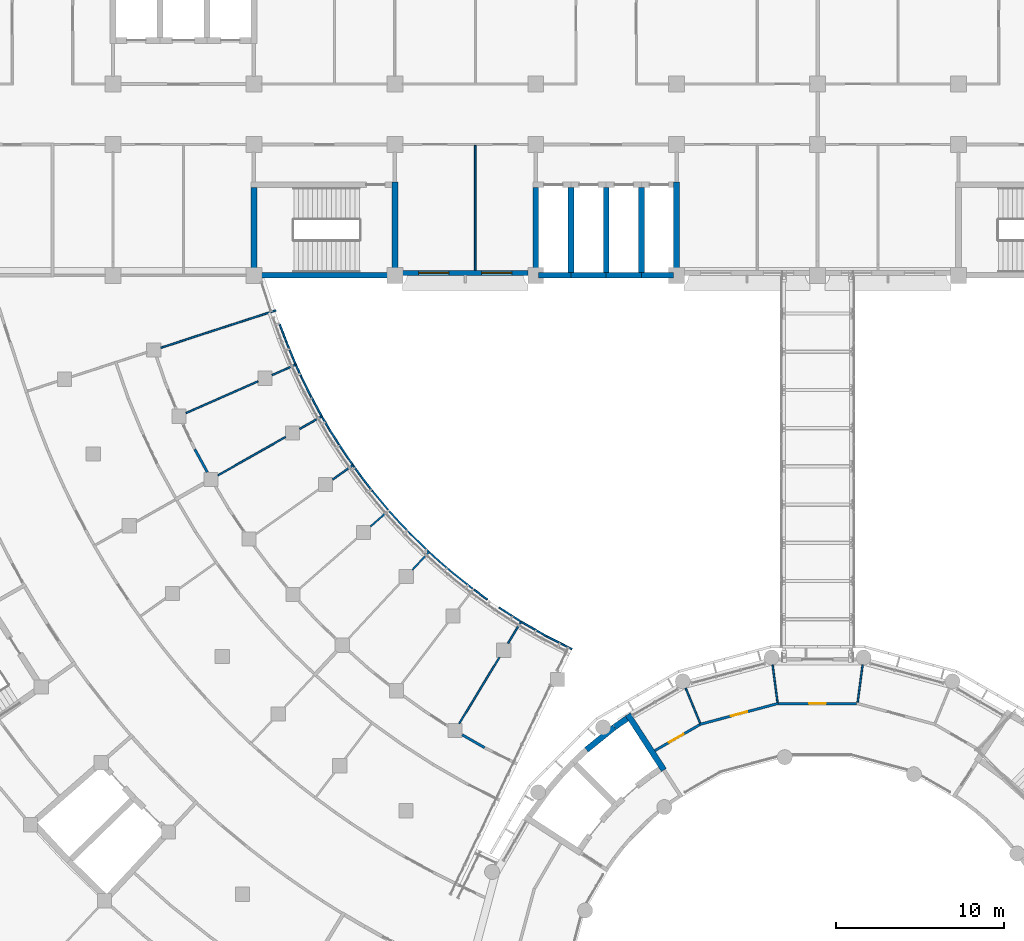
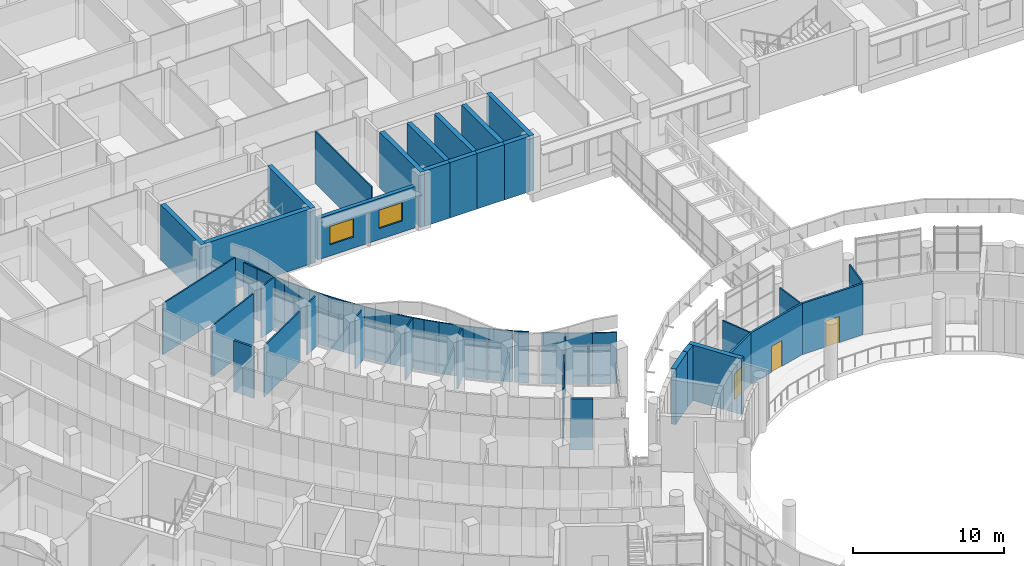
# One storey, part 70 of 136: 56 walls, 3 doors, 2 windows, 5 openings.
"""IFC4 building model written with IfcOpenShell, lengths in metres."""

from ifc_helpers import new_model, si_unit, direction, frame, frame_2d, origin, place, context, subcontext, project, spatial, rectangle, extrude, material, layer, layer_set, type_object, element, fill, save


model = new_model("IFC4")

# Units and contexts
model_context = context("Model", 3, precision=1e-05, world=origin(), true_north=direction((0.0, 1.0)))
body_context = subcontext(model_context, "Body", "Model", "MODEL_VIEW")
ifc_project = project(units=[si_unit("LENGTHUNIT", "METRE"), si_unit("AREAUNIT", "SQUARE_METRE"), si_unit("VOLUMEUNIT", "CUBIC_METRE"), si_unit("PLANEANGLEUNIT", "RADIAN"), si_unit("MASSUNIT", "GRAM", prefix="KILO")], contexts=[model_context])

# Site, building, storey
site_placement = place(None, origin())
site = spatial("IfcSite", under=ifc_project, at=site_placement, CompositionType="ELEMENT")
building_placement = place(site_placement, origin())
building = spatial("IfcBuilding", under=site, at=building_placement, Name="Bougainvillea Quay General Hospital", CompositionType="ELEMENT")
storey_placement = place(building_placement, frame((0.0, 0.0, 5.39990234375)))
storey = spatial("IfcBuildingStorey", under=building, at=storey_placement, Name="L01", CompositionType="ELEMENT", Elevation=5.39990234375)

# Wall, openings, windows
ifc_material_1 = material(Name="Pale stone rainscreen cladding on insulated masonry backing, pale stone", Category="masonry")
ifc_layer_1 = layer(ifc_material_1, 0.300048828125)
ifc_layer_set_1 = layer_set([ifc_layer_1], Name="Pale stone rainscreen cladding on insulated masonry backing, pale stone")
wall_type_1 = type_object("IfcWallType", Name="External wall pale stone rainscreen 300", PredefinedType="STANDARD", material=ifc_layer_set_1)
wall_1_placement = place(storey_placement, frame((84.449951171875, 117.75, 0.0), z_axis=(0.0, 0.0, 1.0), x_axis=(1.0, 0.0, 0.0)))
wall_1 = element("IfcWall", 1, at=wall_1_placement, inside=storey, type_object=wall_type_1, Name="External wall wall/V4/L01/p1/00a", PredefinedType="STANDARD", context=body_context, shape_type="SweptSolid", body=[
    extrude(rectangle(XDim=7.5, YDim=0.300048828125, at=frame_2d((3.75, 0.0))), origin(), (0.0, 0.0, 1.0), 3.35009765625),
])
opening_1_placement = place(wall_1_placement, frame((0.97509765625, 0.0, 0.89990234375)))
opening_1 = element("IfcOpeningElement", 2, at=opening_1_placement, cuts=wall_1, Name="Opening W1", PredefinedType="OPENING", context=body_context, shape_type="SweptSolid", body=[
    extrude(rectangle(XDim=1.800048828125, YDim=1.5, at=frame_2d((0.89990234375, 0.75))), frame((0.0, 0.159912109375, 0.0), z_axis=(0.0, -1.0, 0.0), x_axis=(1.0, 0.0, 0.0)), (0.0, 0.0, 1.0), 0.320068359375),
])
opening_2_placement = place(wall_1_placement, frame((4.72509765625, 0.0, 0.89990234375)))
opening_2 = element("IfcOpeningElement", 3, at=opening_2_placement, cuts=wall_1, Name="Opening W1", PredefinedType="OPENING", context=body_context, shape_type="SweptSolid", body=[
    extrude(rectangle(XDim=1.800048828125, YDim=1.5, at=frame_2d((0.89990234375, 0.75))), frame((0.0, 0.159912109375, 0.0), z_axis=(0.0, -1.0, 0.0), x_axis=(1.0, 0.0, 0.0)), (0.0, 0.0, 1.0), 0.320068359375),
])
ifc_material_2 = material(Name="Aluminium window frame with low-e double glazed unit", Category="aluminium")
window_type = type_object("IfcWindowType", Name="Window W1 1800x1500", PartitioningType="DOUBLE_PANEL_VERTICAL", PredefinedType="WINDOW", material=ifc_material_2)
window_1_placement = place(opening_1_placement, origin())
window_1 = element("IfcWindow", 4, at=window_1_placement, inside=storey, type_object=window_type, Name="Window W1 1", OverallHeight=1.5, OverallWidth=1.800048828125, PartitioningType="SINGLE_PANEL", PredefinedType="WINDOW", context=body_context, shape_type="SweptSolid", body=[
    extrude(rectangle(XDim=1.800048828125, YDim=1.5, at=frame_2d((0.89990234375, 0.75))), frame((0.0, 0.030029296875, 0.0), z_axis=(0.0, -1.0, 0.0), x_axis=(1.0, 0.0, 0.0)), (0.0, 0.0, 1.0), 0.06005859375),
])
fill(opening_1, window_1)
window_2_placement = place(opening_2_placement, origin())
window_2 = element("IfcWindow", 5, at=window_2_placement, inside=storey, type_object=window_type, Name="Window W1 2", OverallHeight=1.5, OverallWidth=1.800048828125, PartitioningType="SINGLE_PANEL", PredefinedType="WINDOW", context=body_context, shape_type="SweptSolid", body=[
    extrude(rectangle(XDim=1.800048828125, YDim=1.5, at=frame_2d((0.89990234375, 0.75))), frame((0.0, 0.030029296875, 0.0), z_axis=(0.0, -1.0, 0.0), x_axis=(1.0, 0.0, 0.0)), (0.0, 0.0, 1.0), 0.06005859375),
])
fill(opening_2, window_2)

# Walls
ifc_material_3 = material(Name="Gypsum board partition on steel studs", Category="steel")
ifc_layer_2 = layer(ifc_material_3, 0.10009765625)
ifc_layer_set_2 = layer_set([ifc_layer_2], Name="Gypsum board partition on steel studs")
wall_type_2 = type_object("IfcWallType", Name="Partition 100 Gypsum board partition", PredefinedType="PARTITIONING", material=ifc_layer_set_2)
wall_2_placement = place(storey_placement, frame((88.798095703125, 117.89990234375, 0.0), z_axis=(0.0, 0.0, 1.0), x_axis=(0.0, 1.0, 0.0)))
element("IfcWall", 6, at=wall_2_placement, inside=storey, type_object=wall_type_2, Name="Partition 100 mm", PredefinedType="PARTITIONING", context=body_context, shape_type="SweptSolid", body=[
    extrude(rectangle(XDim=7.4501953125, YDim=0.10009765625, at=frame_2d((3.72509765625, 0.0))), origin(), (0.0, 0.0, 1.0), 4.25),
])
ifc_layer_3 = layer(ifc_material_3, 0.10009765625)
ifc_layer_set_3 = layer_set([ifc_layer_3], Name="Gypsum board partition on steel studs")
wall_type_3 = type_object("IfcWallType", Name="Partition 100 Gypsum board partition EI 30", PredefinedType="PARTITIONING", material=ifc_layer_set_3)
wall_3_placement = place(storey_placement, frame((70.052001953125, 113.27978515625, 0.0), z_axis=(0.0, 0.0, 1.0), x_axis=(0.951069136727, 0.308978149982, 0.0)))
element("IfcWall", 7, at=wall_3_placement, inside=storey, type_object=wall_type_3, Name="Partition 100 mm EI 30", PredefinedType="PARTITIONING", context=body_context, shape_type="SweptSolid", body=[
    extrude(rectangle(XDim=7.212646484375, YDim=0.10009765625, at=frame_2d((3.6064453125, 0.0))), origin(), (0.0, 0.0, 1.0), 4.150146484375),
])
wall_4_placement = place(storey_placement, frame((71.561767578125, 109.38720703125, 0.0), z_axis=(0.0, 0.0, 1.0), x_axis=(0.914844742968, 0.403805765515, 0.0)))
element("IfcWall", 8, at=wall_4_placement, inside=storey, type_object=wall_type_3, Name="Partition 100 mm EI 30", PredefinedType="PARTITIONING", context=body_context, shape_type="SweptSolid", body=[
    extrude(rectangle(XDim=4.68310546875, YDim=0.10009765625, at=frame_2d((2.341552734375, 0.0))), origin(), (0.0, 0.0, 1.0), 4.150146484375),
])
wall_5_placement = place(storey_placement, frame((76.685791015625, 111.64892578125, 0.0), z_axis=(0.0, 0.0, 1.0), x_axis=(0.914802710669, 0.403900978649, 0.0)))
element("IfcWall", 9, at=wall_5_placement, inside=storey, type_object=wall_type_3, Name="Partition 100 mm EI 30", PredefinedType="PARTITIONING", context=body_context, shape_type="SweptSolid", body=[
    extrude(rectangle(XDim=1.59033203125, YDim=0.10009765625, at=frame_2d((0.795166015625, 0.0))), origin(), (0.0, 0.0, 1.0), 4.150146484375),
])
wall_6_placement = place(storey_placement, frame((82.54931640625, 102.626220703125, 0.0), z_axis=(0.0, 0.0, 1.0), x_axis=(0.751798799024, 0.659392573347, 0.0)))
element("IfcWall", 10, at=wall_6_placement, inside=storey, type_object=wall_type_3, Name="Partition 100 mm EI 30", PredefinedType="PARTITIONING", context=body_context, shape_type="SweptSolid", body=[
    extrude(rectangle(XDim=1.498046875, YDim=0.10009765625, at=frame_2d((0.7490234375, 0.0))), origin(), (0.0, 0.0, 1.0), 4.150146484375),
])
wall_7_placement = place(storey_placement, frame((87.83984375, 90.884521484375, 0.0), z_axis=(0.0, 0.0, 1.0), x_axis=(0.519618801015, 0.854398210223, 0.0)))
element("IfcWall", 11, at=wall_7_placement, inside=storey, type_object=wall_type_3, Name="Partition 100 mm EI 30", PredefinedType="PARTITIONING", context=body_context, shape_type="SweptSolid", body=[
    extrude(rectangle(XDim=4.60302734375, YDim=0.10009765625, at=frame_2d((2.301513671875, 0.0))), origin(), (0.0, 0.0, 1.0), 4.150146484375),
])
wall_8_placement = place(storey_placement, frame((90.74951171875, 95.66845703125, 0.0), z_axis=(0.0, 0.0, 1.0), x_axis=(0.519552672181, 0.854438424247, 0.0)))
element("IfcWall", 12, at=wall_8_placement, inside=storey, type_object=wall_type_3, Name="Partition 100 mm EI 30", PredefinedType="PARTITIONING", context=body_context, shape_type="SweptSolid", body=[
    extrude(rectangle(XDim=1.552001953125, YDim=0.10009765625, at=frame_2d((0.77587890625, 0.0))), origin(), (0.0, 0.0, 1.0), 4.150146484375),
])
wall_9_placement = place(storey_placement, frame((80.29833984375, 105.430419921875, 0.0), z_axis=(0.0, 0.0, 1.0), x_axis=(0.814728250396, 0.579842977027, 0.0)))
element("IfcWall", 13, at=wall_9_placement, inside=storey, type_object=wall_type_3, Name="Partition 100 mm EI 30", PredefinedType="PARTITIONING", context=body_context, shape_type="SweptSolid", body=[
    extrude(rectangle(XDim=1.523681640625, YDim=0.10009765625, at=frame_2d((0.76171875, 0.0))), origin(), (0.0, 0.0, 1.0), 4.150146484375),
])
wall_10_placement = place(storey_placement, frame((85.041015625, 100.034423828125, 0.0), z_axis=(0.0, 0.0, 1.0), x_axis=(0.681296599079, 0.732007475428, 0.0)))
element("IfcWall", 14, at=wall_10_placement, inside=storey, type_object=wall_type_3, Name="Partition 100 mm EI 30", PredefinedType="PARTITIONING", context=body_context, shape_type="SweptSolid", body=[
    extrude(rectangle(XDim=1.5166015625, YDim=0.10009765625, at=frame_2d((0.75830078125, 0.0))), origin(), (0.0, 0.0, 1.0), 4.150146484375),
])
wall_11_placement = place(storey_placement, frame((73.463134765625, 105.67626953125, 0.0), z_axis=(0.0, 0.0, 1.0), x_axis=(0.8692549769, 0.494364020874, 0.0)))
element("IfcWall", 15, at=wall_11_placement, inside=storey, type_object=wall_type_3, Name="Partition 100 mm EI 30", PredefinedType="PARTITIONING", context=body_context, shape_type="SweptSolid", body=[
    extrude(rectangle(XDim=4.62451171875, YDim=0.10009765625, at=frame_2d((2.312255859375, 0.0))), origin(), (0.0, 0.0, 1.0), 4.150146484375),
])
wall_12_placement = place(storey_placement, frame((78.331298828125, 108.44482421875, 0.0), z_axis=(0.0, 0.0, 1.0), x_axis=(0.869222922884, 0.494420378154, 0.0)))
element("IfcWall", 16, at=wall_12_placement, inside=storey, type_object=wall_type_3, Name="Partition 100 mm EI 30", PredefinedType="PARTITIONING", context=body_context, shape_type="SweptSolid", body=[
    extrude(rectangle(XDim=1.561279296875, YDim=0.10009765625, at=frame_2d((0.78076171875, 0.0))), origin(), (0.0, 0.0, 1.0), 4.150146484375),
])
wall_13_placement = place(storey_placement, frame((101.335205078125, 92.98779296875, 0.0), z_axis=(0.0, 0.0, 1.0), x_axis=(0.382736345947, -0.923857613213, 0.0)))
element("IfcWall", 17, at=wall_13_placement, inside=storey, type_object=wall_type_3, Name="Partition 100 mm EI 30", PredefinedType="PARTITIONING", context=body_context, shape_type="SweptSolid", body=[
    extrude(rectangle(XDim=2.24267578125, YDim=0.10009765625, at=frame_2d((1.121337890625, 0.0))), origin(), (0.0, 0.0, 1.0), 4.150146484375),
])
for number, where, z_axis, x_axis, name in (
    (18, (111.589599609375, 92.1533203125, 0.0), (0.0, 0.0, 1.0), (0.13062345865, 0.991432051151, 0.0), "Partition 100 mm EI 30"),
    (19, (106.517333984375, 94.376953125, 0.0), (0.0, 0.0, 1.0), (0.13062345865, -0.991432051151, 0.0), "Partition 100 mm EI 30"),
):
    element("IfcWall", number, at=place(storey_placement, frame(where, z_axis=z_axis, x_axis=x_axis)), inside=storey, type_object=wall_type_3, Name=name, PredefinedType="PARTITIONING", context=body_context, shape_type="SweptSolid", body=[
        extrude(rectangle(XDim=2.242919921875, YDim=0.10009765625, at=frame_2d((1.12158203125, 0.0))), origin(), (0.0, 0.0, 1.0), 4.150146484375),
    ])
wall_14_placement = place(storey_placement, frame((91.572265625, 96.927734375, 0.0), z_axis=(0.0, 0.0, 1.0), x_axis=(0.867607434085, -0.497249776591, 0.0)))
element("IfcWall", 20, at=wall_14_placement, inside=storey, type_object=wall_type_3, Name="Partition 100 mm EI 30", PredefinedType="PARTITIONING", context=body_context, shape_type="SweptSolid", body=[
    extrude(rectangle(XDim=1.750732421875, YDim=0.10009765625, at=frame_2d((0.87548828125, 0.0))), origin(), (0.0, 0.0, 1.0), 4.150146484375),
])
wall_15_placement = place(storey_placement, frame((93.09033203125, 96.060302734375, 0.0), z_axis=(0.0, 0.0, 1.0), x_axis=(0.891511605142, -0.452997856393, 0.0)))
element("IfcWall", 21, at=wall_15_placement, inside=storey, type_object=wall_type_3, Name="Partition 100 mm EI 30", PredefinedType="PARTITIONING", context=body_context, shape_type="SweptSolid", body=[
    extrude(rectangle(XDim=1.65185546875, YDim=0.10009765625, at=frame_2d((0.825927734375, 0.0))), origin(), (0.0, 0.0, 1.0), 4.150146484375),
])
wall_16_placement = place(storey_placement, frame((87.390869140625, 99.916015625, 0.0), z_axis=(0.0, 0.0, 1.0), x_axis=(0.7827431138, -0.622344934742, 0.0)))
element("IfcWall", 22, at=wall_16_placement, inside=storey, type_object=wall_type_3, Name="Partition 100 mm EI 30", PredefinedType="PARTITIONING", context=body_context, shape_type="SweptSolid", body=[
    extrude(rectangle(XDim=1.59814453125, YDim=0.10009765625, at=frame_2d((0.799072265625, 0.0))), origin(), (0.0, 0.0, 1.0), 4.150146484375),
])
wall_17_placement = place(storey_placement, frame((90.2099609375, 97.798095703125, 0.0), z_axis=(0.0, 0.0, 1.0), x_axis=(0.841976481819, -0.539514229713, 0.0)))
element("IfcWall", 23, at=wall_17_placement, inside=storey, type_object=wall_type_3, Name="Partition 100 mm EI 30", PredefinedType="PARTITIONING", context=body_context, shape_type="SweptSolid", body=[
    extrude(rectangle(XDim=1.51904296875, YDim=0.10009765625, at=frame_2d((0.759521484375, 0.0))), origin(), (0.0, 0.0, 1.0), 4.150146484375),
])
wall_18_placement = place(storey_placement, frame((84.897216796875, 102.223876953125, 0.0), z_axis=(0.0, 0.0, 1.0), x_axis=(0.715491637519, -0.698621297013, 0.0)))
element("IfcWall", 24, at=wall_18_placement, inside=storey, type_object=wall_type_3, Name="Partition 100 mm EI 30", PredefinedType="PARTITIONING", context=body_context, shape_type="SweptSolid", body=[
    extrude(rectangle(XDim=1.54833984375, YDim=0.10009765625, at=frame_2d((0.774169921875, 0.0))), origin(), (0.0, 0.0, 1.0), 4.150146484375),
])
wall_19_placement = place(storey_placement, frame((82.64501953125, 104.768310546875, 0.0), z_axis=(0.0, 0.0, 1.0), x_axis=(0.641529064264, -0.767098728785, 0.0)))
element("IfcWall", 25, at=wall_19_placement, inside=storey, type_object=wall_type_3, Name="Partition 100 mm EI 30", PredefinedType="PARTITIONING", context=body_context, shape_type="SweptSolid", body=[
    extrude(rectangle(XDim=1.4990234375, YDim=0.10009765625, at=frame_2d((0.74951171875, 0.0))), origin(), (0.0, 0.0, 1.0), 4.150146484375),
])
wall_20_placement = place(storey_placement, frame((80.656982421875, 107.52734375, 0.0), z_axis=(0.0, 0.0, 1.0), x_axis=(0.561086061718, -0.827757471332, 0.0)))
element("IfcWall", 26, at=wall_20_placement, inside=storey, type_object=wall_type_3, Name="Partition 100 mm EI 30", PredefinedType="PARTITIONING", context=body_context, shape_type="SweptSolid", body=[
    extrude(rectangle(XDim=1.451904296875, YDim=0.10009765625, at=frame_2d((0.72607421875, 0.0))), origin(), (0.0, 0.0, 1.0), 4.150146484375),
])
wall_21_placement = place(storey_placement, frame((78.952392578125, 110.47802734375, 0.0), z_axis=(0.0, 0.0, 1.0), x_axis=(0.474192635092, -0.880421117889, 0.0)))
element("IfcWall", 27, at=wall_21_placement, inside=storey, type_object=wall_type_3, Name="Partition 100 mm EI 30", PredefinedType="PARTITIONING", context=body_context, shape_type="SweptSolid", body=[
    extrude(rectangle(XDim=1.41162109375, YDim=0.10009765625, at=frame_2d((0.705810546875, 0.0))), origin(), (0.0, 0.0, 1.0), 4.150146484375),
])
wall_22_placement = place(storey_placement, frame((77.535888671875, 113.6181640625, 0.0), z_axis=(0.0, 0.0, 1.0), x_axis=(0.383274532271, -0.923634469318, 0.0)))
element("IfcWall", 28, at=wall_22_placement, inside=storey, type_object=wall_type_3, Name="Partition 100 mm EI 30", PredefinedType="PARTITIONING", context=body_context, shape_type="SweptSolid", body=[
    extrude(rectangle(XDim=1.40966796875, YDim=0.10009765625, at=frame_2d((0.704833984375, 0.0))), origin(), (0.0, 0.0, 1.0), 4.150146484375),
])
wall_23_placement = place(storey_placement, frame((77.132080078125, 114.700927734375, 0.0), z_axis=(0.0, 0.0, 1.0), x_axis=(0.350822880831, -0.936441832836, 0.0)))
element("IfcWall", 29, at=wall_23_placement, inside=storey, type_object=wall_type_3, Name="Partition 100 mm EI 30", PredefinedType="PARTITIONING", context=body_context, shape_type="SweptSolid", body=[
    extrude(rectangle(XDim=1.1572265625, YDim=0.10009765625, at=frame_2d((0.57861328125, 0.0))), origin(), (0.0, 0.0, 1.0), 4.150146484375),
])
wall_24_placement = place(storey_placement, frame((78.4306640625, 111.53076171875, 0.0), z_axis=(0.0, 0.0, 1.0), x_axis=(0.445137160255, -0.8954623993, 0.0)))
element("IfcWall", 30, at=wall_24_placement, inside=storey, type_object=wall_type_3, Name="Partition 100 mm EI 30", PredefinedType="PARTITIONING", context=body_context, shape_type="SweptSolid", body=[
    extrude(rectangle(XDim=1.176513671875, YDim=0.10009765625, at=frame_2d((0.58837890625, 0.0))), origin(), (0.0, 0.0, 1.0), 4.150146484375),
])
wall_25_placement = place(storey_placement, frame((80.054443359375, 108.490234375, 0.0), z_axis=(0.0, 0.0, 1.0), x_axis=(0.531657145883, -0.846959668008, 0.0)))
element("IfcWall", 31, at=wall_25_placement, inside=storey, type_object=wall_type_3, Name="Partition 100 mm EI 30", PredefinedType="PARTITIONING", context=body_context, shape_type="SweptSolid", body=[
    extrude(rectangle(XDim=1.137451171875, YDim=0.10009765625, at=frame_2d((0.56884765625, 0.0))), origin(), (0.0, 0.0, 1.0), 4.150146484375),
])
wall_26_placement = place(storey_placement, frame((81.977294921875, 105.62841796875, 0.0), z_axis=(0.0, 0.0, 1.0), x_axis=(0.61437453726, -0.78901452963, 0.0)))
element("IfcWall", 32, at=wall_26_placement, inside=storey, type_object=wall_type_3, Name="Partition 100 mm EI 30", PredefinedType="PARTITIONING", context=body_context, shape_type="SweptSolid", body=[
    extrude(rectangle(XDim=1.09033203125, YDim=0.10009765625, at=frame_2d((0.545166015625, 0.0))), origin(), (0.0, 0.0, 1.0), 4.150146484375),
])
wall_27_placement = place(storey_placement, frame((88.720947265625, 98.861083984375, 0.0), z_axis=(0.0, 0.0, 1.0), x_axis=(0.806061198055, -0.591832193269, 0.0)))
element("IfcWall", 33, at=wall_27_placement, inside=storey, type_object=wall_type_3, Name="Partition 100 mm EI 30", PredefinedType="PARTITIONING", context=body_context, shape_type="SweptSolid", body=[
    extrude(rectangle(XDim=0.99365234375, YDim=0.10009765625, at=frame_2d((0.496826171875, 0.0))), origin(), (0.0, 0.0, 1.0), 4.150146484375),
])
wall_28_placement = place(storey_placement, frame((84.180419921875, 102.97607421875, 0.0), z_axis=(0.0, 0.0, 1.0), x_axis=(0.691094804644, -0.722764118502, 0.0)))
element("IfcWall", 34, at=wall_28_placement, inside=storey, type_object=wall_type_3, Name="Partition 100 mm EI 30", PredefinedType="PARTITIONING", context=body_context, shape_type="SweptSolid", body=[
    extrude(rectangle(XDim=1.040771484375, YDim=0.10009765625, at=frame_2d((0.5205078125, 0.0))), origin(), (0.0, 0.0, 1.0), 4.150146484375),
])
wall_29_placement = place(storey_placement, frame((86.639892578125, 100.5615234375, 0.0), z_axis=(0.0, 0.0, 1.0), x_axis=(0.759638737838, -0.650345283658, 0.0)))
element("IfcWall", 35, at=wall_29_placement, inside=storey, type_object=wall_type_3, Name="Partition 100 mm EI 30", PredefinedType="PARTITIONING", context=body_context, shape_type="SweptSolid", body=[
    extrude(rectangle(XDim=0.99169921875, YDim=0.10009765625, at=frame_2d((0.495849609375, 0.0))), origin(), (0.0, 0.0, 1.0), 4.150146484375),
])
wall_30_placement = place(storey_placement, frame((78.115966796875, 112.22509765625, 0.0), z_axis=(0.0, 0.0, 1.0), x_axis=(0.414838086324, -0.909895247891, 0.0)))
element("IfcWall", 36, at=wall_30_placement, inside=storey, type_object=wall_type_3, Name="Partition 100 mm EI 30", PredefinedType="PARTITIONING", context=body_context, shape_type="SweptSolid", body=[
    extrude(rectangle(XDim=0.763916015625, YDim=0.10009765625, at=frame_2d((0.3818359375, 0.0))), origin(), (0.0, 0.0, 1.0), 4.150146484375),
])
wall_31_placement = place(storey_placement, frame((83.671875, 103.54345703125, 0.0), z_axis=(0.0, 0.0, 1.0), x_axis=(0.66903540409, -0.743230534945, 0.0)))
element("IfcWall", 37, at=wall_31_placement, inside=storey, type_object=wall_type_3, Name="Partition 100 mm EI 30", PredefinedType="PARTITIONING", context=body_context, shape_type="SweptSolid", body=[
    extrude(rectangle(XDim=0.763427734375, YDim=0.10009765625, at=frame_2d((0.3818359375, 0.0))), origin(), (0.0, 0.0, 1.0), 4.150146484375),
])
wall_32_placement = place(storey_placement, frame((79.670654296875, 109.148193359375, 0.0), z_axis=(0.0, 0.0, 1.0), x_axis=(0.505620943658, -0.862755736773, 0.0)))
element("IfcWall", 38, at=wall_32_placement, inside=storey, type_object=wall_type_3, Name="Partition 100 mm EI 30", PredefinedType="PARTITIONING", context=body_context, shape_type="SweptSolid", body=[
    extrude(rectangle(XDim=0.762939453125, YDim=0.10009765625, at=frame_2d((0.38134765625, 0.0))), origin(), (0.0, 0.0, 1.0), 4.150146484375),
])
wall_33_placement = place(storey_placement, frame((81.52880859375, 106.244140625, 0.0), z_axis=(0.0, 0.0, 1.0), x_axis=(0.590281268128, -0.807197636578, 0.0)))
element("IfcWall", 39, at=wall_33_placement, inside=storey, type_object=wall_type_3, Name="Partition 100 mm EI 30", PredefinedType="PARTITIONING", context=body_context, shape_type="SweptSolid", body=[
    extrude(rectangle(XDim=0.76318359375, YDim=0.10009765625, at=frame_2d((0.381591796875, 0.0))), origin(), (0.0, 0.0, 1.0), 4.150146484375),
])
wall_34_placement = place(storey_placement, frame((86.077392578125, 101.073974609375, 0.0), z_axis=(0.0, 0.0, 1.0), x_axis=(0.740693092669, -0.671843540173, 0.0)))
element("IfcWall", 40, at=wall_34_placement, inside=storey, type_object=wall_type_3, Name="Partition 100 mm EI 30", PredefinedType="PARTITIONING", context=body_context, shape_type="SweptSolid", body=[
    extrude(rectangle(XDim=0.762451171875, YDim=0.10009765625, at=frame_2d((0.38134765625, 0.0))), origin(), (0.0, 0.0, 1.0), 4.150146484375),
])

# Wall, opening, door
ifc_material_4 = material(Name="Gypsum board partition on steel studs, insulated", Category="steel")
ifc_layer_4 = layer(ifc_material_4, 0.14990234375)
ifc_layer_set_4 = layer_set([ifc_layer_4], Name="Gypsum board partition on steel studs, insulated")
wall_type_4 = type_object("IfcWallType", Name="Partition 150 Gypsum board partition EI 30", PredefinedType="PARTITIONING", material=ifc_layer_set_4)
wall_35_placement = place(storey_placement, frame((102.152587890625, 90.820556640625, 0.0), z_axis=(0.0, 0.0, 1.0), x_axis=(0.965901416029, 0.258910128254, 0.0)))
wall_35 = element("IfcWall", 41, at=wall_35_placement, inside=storey, type_object=wall_type_4, Name="Partition 150 mm EI 30", PredefinedType="PARTITIONING", context=body_context, shape_type="SweptSolid", body=[
    extrude(rectangle(XDim=4.908203125, YDim=0.14990234375, at=frame_2d((2.4541015625, 0.0))), origin(), (0.0, 0.0, 1.0), 4.150146484375),
])
opening_3_placement = place(wall_35_placement, frame((1.9541015625, 0.0, 0.0)))
opening_3 = element("IfcOpeningElement", 42, at=opening_3_placement, cuts=wall_35, Name="Opening L01.296", PredefinedType="OPENING", context=body_context, shape_type="SweptSolid", body=[
    extrude(rectangle(XDim=1.0, YDim=2.10009765625, at=frame_2d((0.5, 1.050048828125))), frame((0.0, 0.0849609375, 0.0), z_axis=(0.0, -1.0, 0.0), x_axis=(1.0, 0.0, 0.0)), (0.0, 0.0, 1.0), 0.169921875),
])
ifc_material_5 = material(Name="Solid-core timber door leaf in steel frame", Category="steel")
door_type = type_object("IfcDoorType", Name="Single leaf door 1000x2100 FD30S", OperationType="NOTDEFINED", PredefinedType="DOOR", material=ifc_material_5)
door_1_placement = place(opening_3_placement, origin())
door_1 = element("IfcDoor", 43, at=door_1_placement, inside=storey, type_object=door_type, Name="DT15 L01.296", OperationType="SINGLE_SWING_LEFT", OverallHeight=2.10009765625, OverallWidth=1.0, PredefinedType="DOOR", context=body_context, shape_type="SweptSolid", body=[
    extrude(rectangle(XDim=1.0, YDim=2.10009765625, at=frame_2d((0.5, 1.050048828125))), frame((0.0, 0.02490234375, 0.0), z_axis=(0.0, -1.0, 0.0), x_axis=(1.0, 0.0, 0.0)), (0.0, 0.0, 1.0), 0.050048828125),
])
fill(opening_3, door_1)

wall_36_placement = place(storey_placement, frame((106.87890625, 92.072021484375, 0.0), z_axis=(0.0, 0.0, 1.0), x_axis=(1.0, 0.0, 0.0)))
wall_36 = element("IfcWall", 44, at=wall_36_placement, inside=storey, type_object=wall_type_4, Name="Partition 150 mm EI 30", PredefinedType="PARTITIONING", context=body_context, shape_type="SweptSolid", body=[
    extrude(rectangle(XDim=4.64208984375, YDim=0.14990234375, at=frame_2d((2.321044921875, 0.0))), origin(), (0.0, 0.0, 1.0), 4.150146484375),
])
opening_4_placement = place(wall_36_placement, frame((1.821044921875, 0.0, 0.0)))
opening_4 = element("IfcOpeningElement", 45, at=opening_4_placement, cuts=wall_36, Name="Opening L01.295", PredefinedType="OPENING", context=body_context, shape_type="SweptSolid", body=[
    extrude(rectangle(XDim=1.0, YDim=2.10009765625, at=frame_2d((0.5, 1.050048828125))), frame((0.0, 0.0849609375, 0.0), z_axis=(0.0, -1.0, 0.0), x_axis=(1.0, 0.0, 0.0)), (0.0, 0.0, 1.0), 0.169921875),
])
door_2_placement = place(opening_4_placement, origin())
door_2 = element("IfcDoor", 46, at=door_2_placement, inside=storey, type_object=door_type, Name="DT15 L01.295", OperationType="SINGLE_SWING_LEFT", OverallHeight=2.10009765625, OverallWidth=1.0, PredefinedType="DOOR", context=body_context, shape_type="SweptSolid", body=[
    extrude(rectangle(XDim=1.0, YDim=2.10009765625, at=frame_2d((0.5, 1.050048828125))), frame((0.0, 0.02490234375, 0.0), z_axis=(0.0, -1.0, 0.0), x_axis=(1.0, 0.0, 0.0)), (0.0, 0.0, 1.0), 0.050048828125),
])
fill(opening_4, door_2)

wall_37_placement = place(storey_placement, frame((99.498779296875, 89.266357421875, 0.0), z_axis=(0.0, 0.0, 1.0), x_axis=(0.866071120369, 0.499920808191, 0.0)))
wall_37 = element("IfcWall", 47, at=wall_37_placement, inside=storey, type_object=wall_type_4, Name="Partition 150 mm EI 30", PredefinedType="PARTITIONING", context=body_context, shape_type="SweptSolid", body=[
    extrude(rectangle(XDim=3.08984375, YDim=0.14990234375, at=frame_2d((1.544921875, 0.0))), origin(), (0.0, 0.0, 1.0), 4.150146484375),
])
opening_5_placement = place(wall_37_placement, frame((0.984619140625, 0.0, 0.0)))
opening_5 = element("IfcOpeningElement", 48, at=opening_5_placement, cuts=wall_37, Name="Opening L01.297", PredefinedType="OPENING", context=body_context, shape_type="SweptSolid", body=[
    extrude(rectangle(XDim=1.0, YDim=2.10009765625, at=frame_2d((0.5, 1.050048828125))), frame((0.0, 0.0849609375, 0.0), z_axis=(0.0, -1.0, 0.0), x_axis=(1.0, 0.0, 0.0)), (0.0, 0.0, 1.0), 0.169921875),
])
door_3_placement = place(opening_5_placement, origin())
door_3 = element("IfcDoor", 49, at=door_3_placement, inside=storey, type_object=door_type, Name="DT15 L01.297", OperationType="SINGLE_SWING_LEFT", OverallHeight=2.10009765625, OverallWidth=1.0, PredefinedType="DOOR", context=body_context, shape_type="SweptSolid", body=[
    extrude(rectangle(XDim=1.0, YDim=2.10009765625, at=frame_2d((0.5, 1.050048828125))), frame((0.0, 0.02490234375, 0.0), z_axis=(0.0, -1.0, 0.0), x_axis=(1.0, 0.0, 0.0)), (0.0, 0.0, 1.0), 0.050048828125),
])
fill(opening_5, door_3)

# Walls
wall_38_placement = place(storey_placement, frame((88.017578125, 90.20849609375, 0.0), z_axis=(0.0, 0.0, 1.0), x_axis=(0.867174234795, -0.498004865947, 0.0)))
element("IfcWall", 50, at=wall_38_placement, inside=storey, type_object=wall_type_4, Name="Partition 150 mm EI 30", PredefinedType="PARTITIONING", context=body_context, shape_type="SweptSolid", body=[
    extrude(rectangle(XDim=1.534912109375, YDim=0.14990234375, at=frame_2d((0.767578125, 0.0))), origin(), (0.0, 0.0, 1.0), 4.150146484375),
])
wall_39_placement = place(storey_placement, frame((72.076904296875, 107.23193359375, 0.0), z_axis=(0.0, 0.0, 1.0), x_axis=(0.480041086357, -0.877246006209, 0.0)))
element("IfcWall", 51, at=wall_39_placement, inside=storey, type_object=wall_type_4, Name="Partition 150 mm EI 30", PredefinedType="PARTITIONING", context=body_context, shape_type="SweptSolid", body=[
    extrude(rectangle(XDim=1.55322265625, YDim=0.14990234375, at=frame_2d((0.776611328125, 0.0))), origin(), (0.0, 0.0, 1.0), 4.150146484375),
])
ifc_material_6 = material(Name="Concrete C40", Category="concrete")
ifc_layer_5 = layer(ifc_material_6, 0.35009765625)
ifc_layer_set_5 = layer_set([ifc_layer_5], Name="Concrete C40")
wall_type_5 = type_object("IfcWallType", Name="RC SHEAR WALL 350 C40", PredefinedType="SHEAR", material=ifc_layer_set_5)
wall_40_placement = place(storey_placement, frame((75.60009765625, 117.425048828125, 0.0), z_axis=(0.0, 0.0, 1.0), x_axis=(0.0, 1.0, 0.0)))
element("IfcWall", 52, at=wall_40_placement, inside=storey, type_object=wall_type_5, Name="Shear wall L01", PredefinedType="SHEAR", context=body_context, shape_type="SweptSolid", body=[
    extrude(rectangle(XDim=5.39990234375, YDim=0.35009765625, at=frame_2d((2.699951171875, 0.0))), origin(), (0.0, 0.0, 1.0), 4.5),
])
wall_41_placement = place(storey_placement, frame((75.77490234375, 117.60009765625, 0.0), z_axis=(0.0, 0.0, 1.0), x_axis=(1.0, 0.0, 0.0)))
element("IfcWall", 53, at=wall_41_placement, inside=storey, type_object=wall_type_5, Name="Shear wall L01", PredefinedType="SHEAR", context=body_context, shape_type="SweptSolid", body=[
    extrude(rectangle(XDim=8.050048828125, YDim=0.35009765625, at=frame_2d((4.02490234375, 0.0))), origin(), (0.0, 0.0, 1.0), 4.5),
])
wall_42_placement = place(storey_placement, frame((84.0, 117.425048828125, 0.0), z_axis=(0.0, 0.0, 1.0), x_axis=(0.0, 1.0, 0.0)))
element("IfcWall", 54, at=wall_42_placement, inside=storey, type_object=wall_type_5, Name="Shear wall L01", PredefinedType="SHEAR", context=body_context, shape_type="SweptSolid", body=[
    extrude(rectangle(XDim=5.75, YDim=0.35009765625, at=frame_2d((2.875, 0.0))), origin(), (0.0, 0.0, 1.0), 4.5),
])
wall_43_placement = place(storey_placement, frame((92.39990234375, 117.425048828125, 0.0), z_axis=(0.0, 0.0, 1.0), x_axis=(0.0, 1.0, 0.0)))
element("IfcWall", 55, at=wall_43_placement, inside=storey, type_object=wall_type_5, Name="Shear wall L01", PredefinedType="SHEAR", context=body_context, shape_type="SweptSolid", body=[
    extrude(rectangle(XDim=5.39990234375, YDim=0.35009765625, at=frame_2d((2.699951171875, 0.0))), origin(), (0.0, 0.0, 1.0), 4.5),
])
wall_44_placement = place(storey_placement, frame((92.574951171875, 117.60009765625, 0.0), z_axis=(0.0, 0.0, 1.0), x_axis=(1.0, 0.0, 0.0)))
element("IfcWall", 56, at=wall_44_placement, inside=storey, type_object=wall_type_5, Name="Shear wall L01", PredefinedType="SHEAR", context=body_context, shape_type="SweptSolid", body=[
    extrude(rectangle(XDim=1.925048828125, YDim=0.35009765625, at=frame_2d((0.96240234375, 0.0))), origin(), (0.0, 0.0, 1.0), 4.5),
])
wall_45_placement = place(storey_placement, frame((94.5, 117.60009765625, 0.0), z_axis=(0.0, 0.0, 1.0), x_axis=(1.0, 0.0, 0.0)))
element("IfcWall", 57, at=wall_45_placement, inside=storey, type_object=wall_type_5, Name="Shear wall L01", PredefinedType="SHEAR", context=body_context, shape_type="SweptSolid", body=[
    extrude(rectangle(XDim=2.10009765625, YDim=0.35009765625, at=frame_2d((1.050048828125, 0.0))), origin(), (0.0, 0.0, 1.0), 4.5),
])
wall_46_placement = place(storey_placement, frame((94.5, 117.77490234375, 0.0), z_axis=(0.0, 0.0, 1.0), x_axis=(0.0, 1.0, 0.0)))
element("IfcWall", 58, at=wall_46_placement, inside=storey, type_object=wall_type_5, Name="Shear wall L01", PredefinedType="SHEAR", context=body_context, shape_type="SweptSolid", body=[
    extrude(rectangle(XDim=5.050048828125, YDim=0.35009765625, at=frame_2d((2.52490234375, 0.0))), origin(), (0.0, 0.0, 1.0), 4.5),
])
wall_47_placement = place(storey_placement, frame((96.60009765625, 117.60009765625, 0.0), z_axis=(0.0, 0.0, 1.0), x_axis=(1.0, 0.0, 0.0)))
element("IfcWall", 59, at=wall_47_placement, inside=storey, type_object=wall_type_5, Name="Shear wall L01", PredefinedType="SHEAR", context=body_context, shape_type="SweptSolid", body=[
    extrude(rectangle(XDim=2.099853515625, YDim=0.35009765625, at=frame_2d((1.0498046875, 0.0))), origin(), (0.0, 0.0, 1.0), 4.5),
])
wall_48_placement = place(storey_placement, frame((96.60009765625, 117.77490234375, 0.0), z_axis=(0.0, 0.0, 1.0), x_axis=(0.0, 1.0, 0.0)))
element("IfcWall", 60, at=wall_48_placement, inside=storey, type_object=wall_type_5, Name="Shear wall L01", PredefinedType="SHEAR", context=body_context, shape_type="SweptSolid", body=[
    extrude(rectangle(XDim=5.050048828125, YDim=0.35009765625, at=frame_2d((2.52490234375, 0.0))), origin(), (0.0, 0.0, 1.0), 4.5),
])
wall_49_placement = place(storey_placement, frame((97.086669921875, 90.66162109375, 0.0), z_axis=(0.0, 0.0, 1.0), x_axis=(-0.777231602748, -0.629214618146, 0.0)))
element("IfcWall", 61, at=wall_49_placement, inside=storey, type_object=wall_type_5, Name="Shear wall L01", PredefinedType="SHEAR", context=body_context, shape_type="SweptSolid", body=[
    extrude(rectangle(XDim=2.142578125, YDim=0.35009765625, at=frame_2d((1.0712890625, 0.0))), origin(), (0.0, 0.0, 1.0), 4.5),
])
wall_50_placement = place(storey_placement, frame((97.09765625, 90.669921875, 0.0), z_axis=(0.0, 0.0, 1.0), x_axis=(0.823914707919, 0.566713820261, 0.0)))
element("IfcWall", 62, at=wall_50_placement, inside=storey, type_object=wall_type_5, Name="Shear wall L01", PredefinedType="SHEAR", context=body_context, shape_type="SweptSolid", body=[
    extrude(rectangle(XDim=0.89599609375, YDim=0.35009765625, at=frame_2d((0.447998046875, 0.0))), origin(), (0.0, 0.0, 1.0), 4.5),
])
wall_51_placement = place(storey_placement, frame((97.884765625, 91.423828125, 0.0), z_axis=(0.0, 0.0, 1.0), x_axis=(0.544577782893, -0.838710342359, 0.0)))
element("IfcWall", 63, at=wall_51_placement, inside=storey, type_object=wall_type_5, Name="Shear wall L01", PredefinedType="SHEAR", context=body_context, shape_type="SweptSolid", body=[
    extrude(rectangle(XDim=3.950927734375, YDim=0.35009765625, at=frame_2d((1.9755859375, 0.0))), origin(), (0.0, 0.0, 1.0), 4.5),
])
wall_52_placement = place(storey_placement, frame((98.699951171875, 117.60009765625, 0.0), z_axis=(0.0, 0.0, 1.0), x_axis=(1.0, 0.0, 0.0)))
element("IfcWall", 64, at=wall_52_placement, inside=storey, type_object=wall_type_5, Name="Shear wall L01", PredefinedType="SHEAR", context=body_context, shape_type="SweptSolid", body=[
    extrude(rectangle(XDim=1.925048828125, YDim=0.35009765625, at=frame_2d((0.96240234375, 0.0))), origin(), (0.0, 0.0, 1.0), 4.5),
])
wall_53_placement = place(storey_placement, frame((98.699951171875, 117.77490234375, 0.0), z_axis=(0.0, 0.0, 1.0), x_axis=(0.0, 1.0, 0.0)))
element("IfcWall", 65, at=wall_53_placement, inside=storey, type_object=wall_type_5, Name="Shear wall L01", PredefinedType="SHEAR", context=body_context, shape_type="SweptSolid", body=[
    extrude(rectangle(XDim=5.050048828125, YDim=0.35009765625, at=frame_2d((2.52490234375, 0.0))), origin(), (0.0, 0.0, 1.0), 4.5),
])
wall_54_placement = place(storey_placement, frame((100.800048828125, 117.425048828125, 0.0), z_axis=(0.0, 0.0, 1.0), x_axis=(0.0, 1.0, 0.0)))
element("IfcWall", 66, at=wall_54_placement, inside=storey, type_object=wall_type_5, Name="Shear wall L01", PredefinedType="SHEAR", context=body_context, shape_type="SweptSolid", body=[
    extrude(rectangle(XDim=5.75, YDim=0.35009765625, at=frame_2d((2.875, 0.0))), origin(), (0.0, 0.0, 1.0), 4.5),
])

save(model, "model.ifc")
